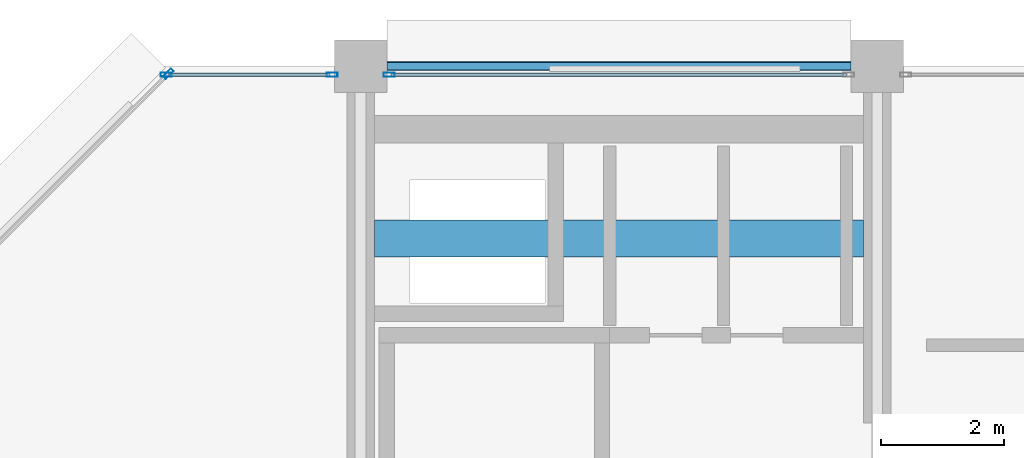
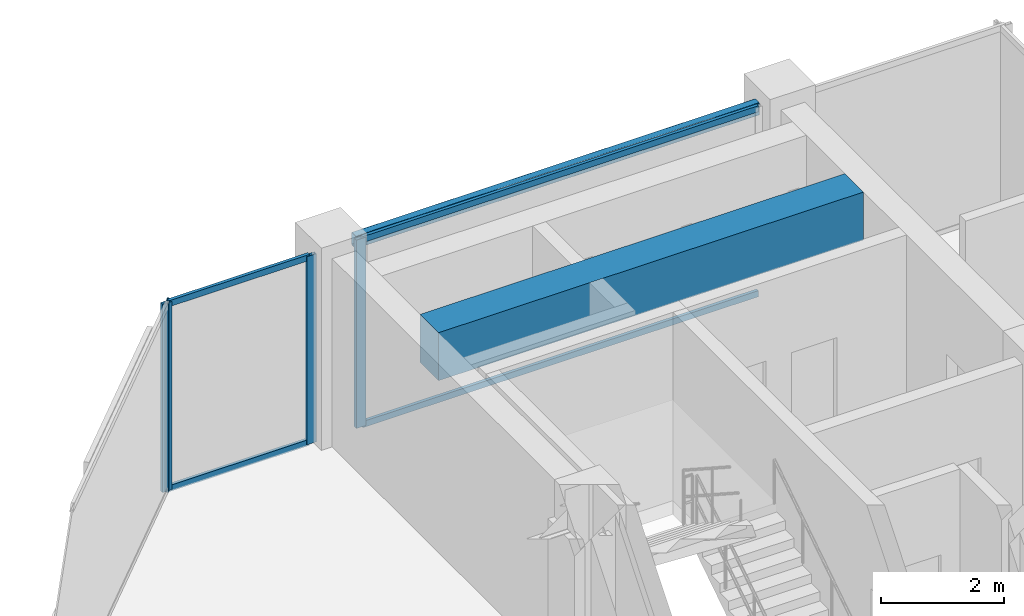
# One storey, part 17 of 25: 8 members, 2 beams, 3 elements without a shape of their own.
"""IFC4 building model written with IfcOpenShell, lengths in metres."""

from ifc_helpers import new_model, si_unit, direction, frame, origin, origin_2d, place, context, subcontext, project, spatial, rectangle, hollow_rectangle, extrude, material, layer, layer_set, material_profile, profile_set, type_object, element, aggregate, save


model = new_model("IFC4")

# Units and contexts
model_context = context("Model", 3, precision=1e-05, world=origin(), true_north=direction((0.0, 1.0)))
body_context = subcontext(model_context, "Body", "Model", "MODEL_VIEW")
ifc_project = project(units=[si_unit("LENGTHUNIT", "METRE"), si_unit("AREAUNIT", "SQUARE_METRE"), si_unit("VOLUMEUNIT", "CUBIC_METRE"), si_unit("PLANEANGLEUNIT", "RADIAN"), si_unit("MASSUNIT", "GRAM", prefix="KILO")], contexts=[model_context])

# Site, building, storey
site_placement = place(None, origin())
site = spatial("IfcSite", under=ifc_project, at=site_placement, CompositionType="ELEMENT")
building_placement = place(site_placement, origin())
building = spatial("IfcBuilding", under=site, at=building_placement, Name="Nerrivon Quay Data Exchange", CompositionType="ELEMENT")
storey_placement = place(building_placement, frame((0.0, 0.0, 290.199951171875)))
storey = spatial("IfcBuildingStorey", under=building, at=storey_placement, Name="L69", CompositionType="ELEMENT", Elevation=290.199951171875)

# Beams
ifc_material_1 = material(Name="Concrete N50 (50 MPa)", Category="concrete")
ifc_material_profile_1 = material_profile(ifc_material_1, rectangle(XDim=0.60009765625, YDim=0.949951171875, at=origin_2d()), Name="RC-CB-600x950")
ifc_profile_set_1 = profile_set([ifc_material_profile_1], Name="Concrete N50 (50 MPa)")
beam_type_1 = type_object("IfcBeamType", Name="BM-CB2-600x950", PredefinedType="LINTEL", material=ifc_profile_set_1)
beam_1_placement = place(storey_placement, frame((8.625, 39.199951171875, 3.25), z_axis=(1.0, 0.0, 0.0), x_axis=(0.0, 1.0, 0.0)))
element("IfcBeam", 1, at=beam_1_placement, inside=storey, type_object=beam_type_1, Name="L69 West Core Coupling Beam", PredefinedType="LINTEL", context=body_context, shape_type="SweptSolid", body=[
    extrude(rectangle(XDim=0.60009765625, YDim=0.949951171875, at=origin_2d()), origin(), (0.0, 0.0, 1.0), 7.949951171875),
])
ifc_material_2 = material(Name="Steel Grade C350L0 (350 MPa)", Category="steel")
ifc_material_profile_2 = material_profile(ifc_material_2, hollow_rectangle(XDim=0.14990234375, YDim=0.25, WallThickness=0.009033203125, InnerFilletRadius=0.013427734375, OuterFilletRadius=0.0224609375, at=origin_2d()), Name="250x150x9.0RHS")
ifc_profile_set_2 = profile_set([ifc_material_profile_2], Name="Steel Grade C350L0 (350 MPa)")
beam_type_2 = type_object("IfcBeamType", Name="BM-SP4-250x150RHS", PredefinedType="SPANDREL", material=ifc_profile_set_2)
beam_2_placement = place(storey_placement, frame((8.824951171875, 42.0, 3.60009765625), z_axis=(1.0, 0.0, 0.0), x_axis=(0.0, 1.0, 0.0)))
element("IfcBeam", 2, at=beam_2_placement, inside=storey, type_object=beam_type_2, Name="L69 EW Girder Y=42.0 (8.4..16.8)", PredefinedType="SPANDREL", context=body_context, shape_type="SweptSolid", body=[
    extrude(hollow_rectangle(XDim=0.14990234375, YDim=0.25, WallThickness=0.009033203125, InnerFilletRadius=0.013427734375, OuterFilletRadius=0.0224609375, at=origin_2d()), origin(), (0.0, 0.0, 1.0), 7.550048828125),
])

# Curtain wall, member
ifc_material_3 = material(Name="Anodised aluminium 6063-T6", Category="aluminium")
ifc_layer = layer(ifc_material_3, 0.195068359375)
ifc_layer_set = layer_set([ifc_layer], Name="Anodised aluminium 6063-T6")
curtain_wall_type = type_object("IfcCurtainWallType", Name="CW-SYS-06", PredefinedType="NOTDEFINED", material=ifc_layer_set)
curtain_wall_1_placement = place(storey_placement, origin())
curtain_wall_1 = element("IfcCurtainWall", 3, at=curtain_wall_1_placement, inside=storey, type_object=curtain_wall_type, Name="L69 Unitised Curtain Wall 13", PredefinedType="NOTDEFINED")
ifc_material_profile_3 = material_profile(ifc_material_3, hollow_rectangle(XDim=0.06494140625, YDim=0.179931640625, WallThickness=0.00341796875, at=origin_2d()), Name="ALU-MULL-180x65")
ifc_profile_set_3 = profile_set([ifc_material_profile_3], Name="Anodised aluminium 6063-T6")
member_type_1 = type_object("IfcMemberType", Name="CWM-180x65", PredefinedType="MULLION", material=ifc_profile_set_3)
member_1_placement = place(storey_placement, frame((5.2724609375, 41.87451171875, 0.0), z_axis=(0.0, 0.0, 1.0), x_axis=(-0.707106781187, 0.707106781187, 0.0)))
member_1 = element("IfcMember", 4, at=member_1_placement, type_object=member_type_1, Name="CW06 mullion 2", PredefinedType="MULLION", context=body_context, shape_type="SweptSolid", body=[
    extrude(hollow_rectangle(XDim=0.06494140625, YDim=0.179931640625, WallThickness=0.00341796875, at=origin_2d()), origin(), (0.0, 0.0, 1.0), 3.72509765625),
])
aggregate(curtain_wall_1, [member_1])

# Curtain wall, members
curtain_wall_2_placement = place(storey_placement, origin())
curtain_wall_2 = element("IfcCurtainWall", 5, at=curtain_wall_2_placement, inside=storey, type_object=curtain_wall_type, Name="L69 Unitised Curtain Wall 14", PredefinedType="NOTDEFINED")
member_2_placement = place(storey_placement, frame((5.237548828125, 41.860107421875, 0.0), z_axis=(0.0, 0.0, 1.0), x_axis=(0.0, 1.0, 0.0)))
member_2 = element("IfcMember", 6, at=member_2_placement, type_object=member_type_1, Name="CW06 mullion 1", PredefinedType="MULLION", context=body_context, shape_type="SweptSolid", body=[
    extrude(hollow_rectangle(XDim=0.06494140625, YDim=0.179931640625, WallThickness=0.00341796875, at=origin_2d()), origin(), (0.0, 0.0, 1.0), 3.72509765625),
])
member_3_placement = place(storey_placement, frame((7.9375, 41.860107421875, 0.0), z_axis=(0.0, 0.0, 1.0), x_axis=(0.0, 1.0, 0.0)))
member_3 = element("IfcMember", 7, at=member_3_placement, type_object=member_type_1, Name="CW06 mullion 2", PredefinedType="MULLION", context=body_context, shape_type="SweptSolid", body=[
    extrude(hollow_rectangle(XDim=0.06494140625, YDim=0.179931640625, WallThickness=0.00341796875, at=origin_2d()), origin(), (0.0, 0.0, 1.0), 3.72509765625),
])

# Curtain wall, member
curtain_wall_3_placement = place(storey_placement, origin())
curtain_wall_3 = element("IfcCurtainWall", 8, at=curtain_wall_3_placement, inside=storey, type_object=curtain_wall_type, Name="L69 Unitised Curtain Wall 15", PredefinedType="NOTDEFINED")
member_4_placement = place(storey_placement, frame((8.862548828125, 41.860107421875, 0.0), z_axis=(0.0, 0.0, 1.0), x_axis=(0.0, 1.0, 0.0)))
member_4 = element("IfcMember", 9, at=member_4_placement, type_object=member_type_1, Name="CW06 mullion 1", PredefinedType="MULLION", context=body_context, shape_type="SweptSolid", body=[
    extrude(hollow_rectangle(XDim=0.06494140625, YDim=0.179931640625, WallThickness=0.00341796875, at=origin_2d()), origin(), (0.0, 0.0, 1.0), 3.72509765625),
])

# Member
ifc_material_profile_4 = material_profile(ifc_material_3, hollow_rectangle(XDim=0.06005859375, YDim=0.1201171875, WallThickness=0.003173828125, at=origin_2d()), Name="ALU-TRAN-120x60")
ifc_profile_set_4 = profile_set([ifc_material_profile_4], Name="Anodised aluminium 6063-T6")
member_type_2 = type_object("IfcMemberType", Name="CWT-120x60", PredefinedType="USERDEFINED", material=ifc_profile_set_4)
member_5_placement = place(storey_placement, frame((5.27490234375, 41.860107421875, 0.032470703125), z_axis=(1.0, 0.0, 0.0), x_axis=(0.0, 1.0, 0.0)))
member_5 = element("IfcMember", 10, at=member_5_placement, type_object=member_type_2, Name="CW06 transom 1.1", ObjectType="TRANSOM", PredefinedType="USERDEFINED", context=body_context, shape_type="SweptSolid", body=[
    extrude(hollow_rectangle(XDim=0.06005859375, YDim=0.1201171875, WallThickness=0.003173828125, at=origin_2d()), origin(), (0.0, 0.0, 1.0), 2.625),
])

member_6_placement = place(storey_placement, frame((5.27490234375, 41.860107421875, 3.692626953125), z_axis=(1.0, 0.0, 0.0), x_axis=(0.0, 1.0, 0.0)))
member_6 = element("IfcMember", 11, at=member_6_placement, type_object=member_type_2, Name="CW06 transom 1.2", ObjectType="TRANSOM", PredefinedType="USERDEFINED", context=body_context, shape_type="SweptSolid", body=[
    extrude(hollow_rectangle(XDim=0.06005859375, YDim=0.1201171875, WallThickness=0.003173828125, at=origin_2d()), origin(), (0.0, 0.0, 1.0), 2.625),
])

aggregate(curtain_wall_2, [member_2, member_3, member_5, member_6])

member_7_placement = place(storey_placement, frame((8.89990234375, 41.860107421875, 0.032470703125), z_axis=(1.0, 0.0, 0.0), x_axis=(0.0, 1.0, 0.0)))
member_7 = element("IfcMember", 12, at=member_7_placement, type_object=member_type_2, Name="CW06 transom 1.1", ObjectType="TRANSOM", PredefinedType="USERDEFINED", context=body_context, shape_type="SweptSolid", body=[
    extrude(hollow_rectangle(XDim=0.06005859375, YDim=0.1201171875, WallThickness=0.003173828125, at=origin_2d()), origin(), (0.0, 0.0, 1.0), 7.400146484375),
])

member_8_placement = place(storey_placement, frame((8.89990234375, 41.860107421875, 3.692626953125), z_axis=(1.0, 0.0, 0.0), x_axis=(0.0, 1.0, 0.0)))
member_8 = element("IfcMember", 13, at=member_8_placement, type_object=member_type_2, Name="CW06 transom 1.2", ObjectType="TRANSOM", PredefinedType="USERDEFINED", context=body_context, shape_type="SweptSolid", body=[
    extrude(hollow_rectangle(XDim=0.06005859375, YDim=0.1201171875, WallThickness=0.003173828125, at=origin_2d()), origin(), (0.0, 0.0, 1.0), 7.400146484375),
])

aggregate(curtain_wall_3, [member_4, member_7, member_8])

save(model, "model.ifc")
